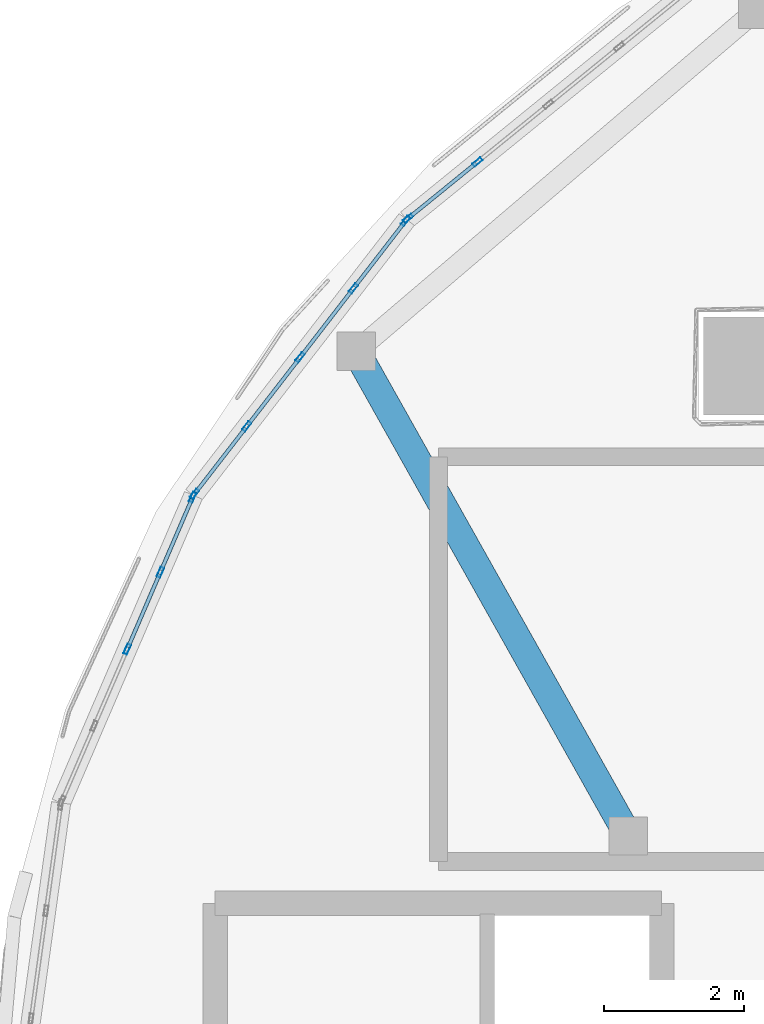
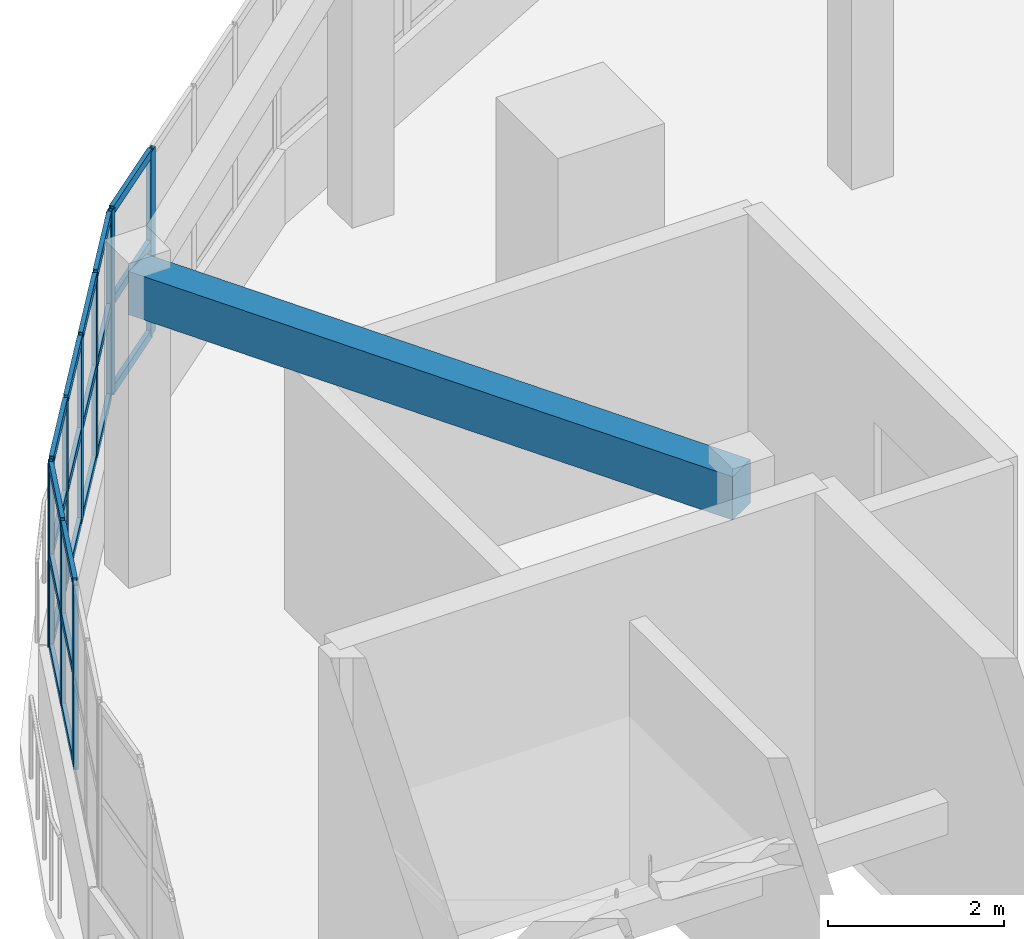
# One storey, part 17 of 46: 31 members, 1 beam, 3 elements without a shape of their own.
"""IFC4 building model written with IfcOpenShell, lengths in metres."""

from ifc_helpers import new_model, si_unit, direction, frame, origin, origin_2d, place, context, subcontext, project, spatial, rectangle, hollow_rectangle, extrude, material, layer, layer_set, material_profile, profile_set, type_object, element, aggregate, save


model = new_model("IFC4")

# Units and contexts
model_context = context("Model", 3, precision=1e-05, world=origin(), true_north=direction((0.0, 1.0)))
body_context = subcontext(model_context, "Body", "Model", "MODEL_VIEW")
ifc_project = project(units=[si_unit("LENGTHUNIT", "METRE"), si_unit("AREAUNIT", "SQUARE_METRE"), si_unit("VOLUMEUNIT", "CUBIC_METRE"), si_unit("PLANEANGLEUNIT", "RADIAN"), si_unit("MASSUNIT", "GRAM", prefix="KILO")], contexts=[model_context])

# Site, building, storey
site_placement = place(None, origin())
site = spatial("IfcSite", under=ifc_project, at=site_placement, CompositionType="ELEMENT")
building_placement = place(site_placement, origin())
building = spatial("IfcBuilding", under=site, at=building_placement, Name="Pelvatis Terrace Science Centre", CompositionType="ELEMENT")
storey_placement = place(building_placement, frame((0.0, 0.0, 19.800048828125)))
storey = spatial("IfcBuildingStorey", under=building, at=storey_placement, Name="L04", CompositionType="ELEMENT", Elevation=19.800048828125)

# Beam
ifc_material_1 = material(Name="Concrete C35/45", Category="concrete")
ifc_material_profile_1 = material_profile(ifc_material_1, rectangle(XDim=0.39990234375, YDim=0.60009765625, at=origin_2d()), Name="RC-BM 400x600")
ifc_profile_set_1 = profile_set([ifc_material_profile_1], Name="Concrete C35/45")
beam_type = type_object("IfcBeamType", Name="BM-RC-400x600", PredefinedType="BEAM", material=ifc_profile_set_1)
beam_placement = place(storey_placement, frame((88.8203125, 95.71142578125, 3.949951171875), z_axis=(0.489826177205, -0.871820116839, 0.0), x_axis=(0.871820116839, 0.489826177205, 0.0)))
element("IfcBeam", 1, at=beam_placement, inside=storey, type_object=beam_type, Name="Beam BM-L04-3088", PredefinedType="BEAM", context=body_context, shape_type="SweptSolid", body=[
    extrude(rectangle(XDim=0.39990234375, YDim=0.60009765625, at=origin_2d()), origin(), (0.0, 0.0, 1.0), 7.96728515625),
])

# Curtain wall, members
ifc_material_2 = material(Name="Bronze-anodised aluminium and laminated glass", Category="aluminium")
ifc_layer = layer(ifc_material_2, 0.14990234375)
ifc_layer_set = layer_set([ifc_layer], Name="Bronze-anodised aluminium and laminated glass")
curtain_wall_type = type_object("IfcCurtainWallType", Name="CW-PASSAGE-C", PredefinedType="NOTDEFINED", material=ifc_layer_set)
curtain_wall_1_placement = place(storey_placement, origin())
curtain_wall_1 = element("IfcCurtainWall", 2, at=curtain_wall_1_placement, inside=storey, type_object=curtain_wall_type, Name="Ribbon curtain wall CW-221 (L04)", PredefinedType="NOTDEFINED")
ifc_material_3 = material(Name="Bronze-anodised aluminium 6063-T6", Category="aluminium")
ifc_material_profile_2 = material_profile(ifc_material_3, hollow_rectangle(XDim=0.054931640625, YDim=0.14990234375, WallThickness=0.00390625, at=origin_2d()), Name="ALU-MUL 55x150")
ifc_profile_set_2 = profile_set([ifc_material_profile_2], Name="Bronze-anodised aluminium 6063-T6")
member_type_1 = type_object("IfcMemberType", Name="CWM-55x150", PredefinedType="MULLION", material=ifc_profile_set_2)
member_1_placement = place(storey_placement, frame((90.561279296875, 98.425048828125, 1.02001953125), z_axis=(0.0, 0.0, 1.0), x_axis=(0.630757324963, -0.775980152456, 0.0)))
member_1 = element("IfcMember", 3, at=member_1_placement, type_object=member_type_1, Name="CW-221 mullion 4", PredefinedType="MULLION", context=body_context, shape_type="SweptSolid", body=[
    extrude(hollow_rectangle(XDim=0.054931640625, YDim=0.14990234375, WallThickness=0.00390625, at=origin_2d()), origin(), (0.0, 0.0, 1.0), 2.550048828125),
])
member_2_placement = place(storey_placement, frame((89.5673828125, 97.6171875, 1.02001953125), z_axis=(0.0, 0.0, 1.0), x_axis=(0.630757324963, -0.775980152456, 0.0)))
member_2 = element("IfcMember", 4, at=member_2_placement, type_object=member_type_1, Name="CW-221 mullion 5", PredefinedType="MULLION", context=body_context, shape_type="SweptSolid", body=[
    extrude(hollow_rectangle(XDim=0.054931640625, YDim=0.14990234375, WallThickness=0.00390625, at=origin_2d()), origin(), (0.0, 0.0, 1.0), 2.550048828125),
])

curtain_wall_2_placement = place(storey_placement, origin())
curtain_wall_2 = element("IfcCurtainWall", 5, at=curtain_wall_2_placement, inside=storey, type_object=curtain_wall_type, Name="Ribbon curtain wall CW-222 (L04)", PredefinedType="NOTDEFINED")
member_3_placement = place(storey_placement, frame((89.529296875, 97.578125, 1.02001953125), z_axis=(0.0, 0.0, 1.0), x_axis=(0.791180678019, -0.611582483994, 0.0)))
member_3 = element("IfcMember", 6, at=member_3_placement, type_object=member_type_1, Name="CW-222 mullion 1", PredefinedType="MULLION", context=body_context, shape_type="SweptSolid", body=[
    extrude(hollow_rectangle(XDim=0.054931640625, YDim=0.14990234375, WallThickness=0.00390625, at=origin_2d()), origin(), (0.0, 0.0, 1.0), 2.550048828125),
])
member_4_placement = place(storey_placement, frame((88.781982421875, 96.611572265625, 1.02001953125), z_axis=(0.0, 0.0, 1.0), x_axis=(0.791180678019, -0.611582483994, 0.0)))
member_4 = element("IfcMember", 7, at=member_4_placement, type_object=member_type_1, Name="CW-222 mullion 2", PredefinedType="MULLION", context=body_context, shape_type="SweptSolid", body=[
    extrude(hollow_rectangle(XDim=0.054931640625, YDim=0.14990234375, WallThickness=0.00390625, at=origin_2d()), origin(), (0.0, 0.0, 1.0), 2.550048828125),
])
member_5_placement = place(storey_placement, frame((88.01806640625, 95.623046875, 1.02001953125), z_axis=(0.0, 0.0, 1.0), x_axis=(0.791180678019, -0.611582483994, 0.0)))
member_5 = element("IfcMember", 8, at=member_5_placement, type_object=member_type_1, Name="CW-222 mullion 3", PredefinedType="MULLION", context=body_context, shape_type="SweptSolid", body=[
    extrude(hollow_rectangle(XDim=0.054931640625, YDim=0.14990234375, WallThickness=0.00390625, at=origin_2d()), origin(), (0.0, 0.0, 1.0), 2.550048828125),
])
member_6_placement = place(storey_placement, frame((87.254150390625, 94.634765625, 1.02001953125), z_axis=(0.0, 0.0, 1.0), x_axis=(0.791180678019, -0.611582483994, 0.0)))
member_6 = element("IfcMember", 9, at=member_6_placement, type_object=member_type_1, Name="CW-222 mullion 4", PredefinedType="MULLION", context=body_context, shape_type="SweptSolid", body=[
    extrude(hollow_rectangle(XDim=0.054931640625, YDim=0.14990234375, WallThickness=0.00390625, at=origin_2d()), origin(), (0.0, 0.0, 1.0), 2.550048828125),
])
member_7_placement = place(storey_placement, frame((86.5068359375, 93.668212890625, 1.02001953125), z_axis=(0.0, 0.0, 1.0), x_axis=(0.791180678019, -0.611582483994, 0.0)))
member_7 = element("IfcMember", 10, at=member_7_placement, type_object=member_type_1, Name="CW-222 mullion 5", PredefinedType="MULLION", context=body_context, shape_type="SweptSolid", body=[
    extrude(hollow_rectangle(XDim=0.054931640625, YDim=0.14990234375, WallThickness=0.00390625, at=origin_2d()), origin(), (0.0, 0.0, 1.0), 2.550048828125),
])

curtain_wall_3_placement = place(storey_placement, origin())
curtain_wall_3 = element("IfcCurtainWall", 11, at=curtain_wall_3_placement, inside=storey, type_object=curtain_wall_type, Name="Ribbon curtain wall CW-223 (L04)", PredefinedType="NOTDEFINED")
member_8_placement = place(storey_placement, frame((86.479248046875, 93.621337890625, 1.02001953125), z_axis=(0.0, 0.0, 1.0), x_axis=(0.918515345943, -0.395385330111, 0.0)))
member_8 = element("IfcMember", 12, at=member_8_placement, type_object=member_type_1, Name="CW-223 mullion 1", PredefinedType="MULLION", context=body_context, shape_type="SweptSolid", body=[
    extrude(hollow_rectangle(XDim=0.054931640625, YDim=0.14990234375, WallThickness=0.00390625, at=origin_2d()), origin(), (0.0, 0.0, 1.0), 2.550048828125),
])
member_9_placement = place(storey_placement, frame((86.015869140625, 92.544677734375, 1.02001953125), z_axis=(0.0, 0.0, 1.0), x_axis=(0.918515345943, -0.395385330111, 0.0)))
member_9 = element("IfcMember", 13, at=member_9_placement, type_object=member_type_1, Name="CW-223 mullion 2", PredefinedType="MULLION", context=body_context, shape_type="SweptSolid", body=[
    extrude(hollow_rectangle(XDim=0.054931640625, YDim=0.14990234375, WallThickness=0.00390625, at=origin_2d()), origin(), (0.0, 0.0, 1.0), 2.550048828125),
])
member_10_placement = place(storey_placement, frame((85.54150390625, 91.443115234375, 1.02001953125), z_axis=(0.0, 0.0, 1.0), x_axis=(0.918515345943, -0.395385330111, 0.0)))
member_10 = element("IfcMember", 14, at=member_10_placement, type_object=member_type_1, Name="CW-223 mullion 3", PredefinedType="MULLION", context=body_context, shape_type="SweptSolid", body=[
    extrude(hollow_rectangle(XDim=0.054931640625, YDim=0.14990234375, WallThickness=0.00390625, at=origin_2d()), origin(), (0.0, 0.0, 1.0), 2.550048828125),
])

# Member
ifc_material_4 = material(Name="Bronze-anodised aluminium 6063-T6", Category="aluminium")
ifc_material_profile_3 = material_profile(ifc_material_4, hollow_rectangle(XDim=0.054931640625, YDim=0.1201171875, WallThickness=0.00341796875, at=origin_2d()), Name="ALU-TRN 55x120")
ifc_profile_set_3 = profile_set([ifc_material_profile_3], Name="Bronze-anodised aluminium 6063-T6")
member_type_2 = type_object("IfcMemberType", Name="CWT-55x120", PredefinedType="USERDEFINED", material=ifc_profile_set_3)
member_11_placement = place(storey_placement, frame((90.5400390625, 98.40771484375, 1.04736328125), z_axis=(-0.776046991119, -0.630675088754, 0.0), x_axis=(0.630675088754, -0.776046991119, 0.0)))
member_11 = element("IfcMember", 15, at=member_11_placement, type_object=member_type_2, Name="CW-221 transom 4.1", ObjectType="TRANSOM", PredefinedType="USERDEFINED", context=body_context, shape_type="SweptSolid", body=[
    extrude(hollow_rectangle(XDim=0.054931640625, YDim=0.1201171875, WallThickness=0.00341796875, at=origin_2d()), origin(), (0.0, 0.0, 1.0), 1.22607421875),
])

member_12_placement = place(storey_placement, frame((90.5400390625, 98.40771484375, 2.294921875), z_axis=(-0.776046991119, -0.630675088754, 0.0), x_axis=(0.630675088754, -0.776046991119, 0.0)))
member_12 = element("IfcMember", 16, at=member_12_placement, type_object=member_type_2, Name="CW-221 transom 4.2", ObjectType="TRANSOM", PredefinedType="USERDEFINED", context=body_context, shape_type="SweptSolid", body=[
    extrude(hollow_rectangle(XDim=0.054931640625, YDim=0.1201171875, WallThickness=0.00341796875, at=origin_2d()), origin(), (0.0, 0.0, 1.0), 1.22607421875),
])

member_13_placement = place(storey_placement, frame((90.5400390625, 98.40771484375, 3.54248046875), z_axis=(-0.776046991119, -0.630675088754, 0.0), x_axis=(0.630675088754, -0.776046991119, 0.0)))
member_13 = element("IfcMember", 17, at=member_13_placement, type_object=member_type_2, Name="CW-221 transom 4.3", ObjectType="TRANSOM", PredefinedType="USERDEFINED", context=body_context, shape_type="SweptSolid", body=[
    extrude(hollow_rectangle(XDim=0.054931640625, YDim=0.1201171875, WallThickness=0.00341796875, at=origin_2d()), origin(), (0.0, 0.0, 1.0), 1.22607421875),
])

aggregate(curtain_wall_1, [member_1, member_2, member_11, member_12, member_13])

member_14_placement = place(storey_placement, frame((89.512451171875, 97.556396484375, 1.04736328125), z_axis=(-0.611620187246, -0.791151531979, 0.0), x_axis=(0.791151531979, -0.611620187246, 0.0)))
member_14 = element("IfcMember", 18, at=member_14_placement, type_object=member_type_2, Name="CW-222 transom 1.1", ObjectType="TRANSOM", PredefinedType="USERDEFINED", context=body_context, shape_type="SweptSolid", body=[
    extrude(hollow_rectangle(XDim=0.054931640625, YDim=0.1201171875, WallThickness=0.00341796875, at=origin_2d()), origin(), (0.0, 0.0, 1.0), 1.166748046875),
])

member_15_placement = place(storey_placement, frame((89.512451171875, 97.556396484375, 2.294921875), z_axis=(-0.611620187246, -0.791151531979, 0.0), x_axis=(0.791151531979, -0.611620187246, 0.0)))
member_15 = element("IfcMember", 19, at=member_15_placement, type_object=member_type_2, Name="CW-222 transom 1.2", ObjectType="TRANSOM", PredefinedType="USERDEFINED", context=body_context, shape_type="SweptSolid", body=[
    extrude(hollow_rectangle(XDim=0.054931640625, YDim=0.1201171875, WallThickness=0.00341796875, at=origin_2d()), origin(), (0.0, 0.0, 1.0), 1.166748046875),
])

member_16_placement = place(storey_placement, frame((89.512451171875, 97.556396484375, 3.54248046875), z_axis=(-0.611620187246, -0.791151531979, 0.0), x_axis=(0.791151531979, -0.611620187246, 0.0)))
member_16 = element("IfcMember", 20, at=member_16_placement, type_object=member_type_2, Name="CW-222 transom 1.3", ObjectType="TRANSOM", PredefinedType="USERDEFINED", context=body_context, shape_type="SweptSolid", body=[
    extrude(hollow_rectangle(XDim=0.054931640625, YDim=0.1201171875, WallThickness=0.00341796875, at=origin_2d()), origin(), (0.0, 0.0, 1.0), 1.166748046875),
])

member_17_placement = place(storey_placement, frame((88.76513671875, 96.589599609375, 1.04736328125), z_axis=(-0.611616260488, -0.791154567646, 0.0), x_axis=(0.791154567646, -0.611616260488, 0.0)))
member_17 = element("IfcMember", 21, at=member_17_placement, type_object=member_type_2, Name="CW-222 transom 2.1", ObjectType="TRANSOM", PredefinedType="USERDEFINED", context=body_context, shape_type="SweptSolid", body=[
    extrude(hollow_rectangle(XDim=0.054931640625, YDim=0.1201171875, WallThickness=0.00341796875, at=origin_2d()), origin(), (0.0, 0.0, 1.0), 1.19384765625),
])

member_18_placement = place(storey_placement, frame((88.76513671875, 96.589599609375, 2.294921875), z_axis=(-0.611616260488, -0.791154567646, 0.0), x_axis=(0.791154567646, -0.611616260488, 0.0)))
member_18 = element("IfcMember", 22, at=member_18_placement, type_object=member_type_2, Name="CW-222 transom 2.2", ObjectType="TRANSOM", PredefinedType="USERDEFINED", context=body_context, shape_type="SweptSolid", body=[
    extrude(hollow_rectangle(XDim=0.054931640625, YDim=0.1201171875, WallThickness=0.00341796875, at=origin_2d()), origin(), (0.0, 0.0, 1.0), 1.19384765625),
])

member_19_placement = place(storey_placement, frame((88.76513671875, 96.589599609375, 3.54248046875), z_axis=(-0.611616260488, -0.791154567646, 0.0), x_axis=(0.791154567646, -0.611616260488, 0.0)))
member_19 = element("IfcMember", 23, at=member_19_placement, type_object=member_type_2, Name="CW-222 transom 2.3", ObjectType="TRANSOM", PredefinedType="USERDEFINED", context=body_context, shape_type="SweptSolid", body=[
    extrude(hollow_rectangle(XDim=0.054931640625, YDim=0.1201171875, WallThickness=0.00341796875, at=origin_2d()), origin(), (0.0, 0.0, 1.0), 1.19384765625),
])

member_20_placement = place(storey_placement, frame((88.001220703125, 95.601318359375, 1.04736328125), z_axis=(-0.611517324634, -0.791231041904, 0.0), x_axis=(0.791231041904, -0.611517324634, 0.0)))
member_20 = element("IfcMember", 24, at=member_20_placement, type_object=member_type_2, Name="CW-222 transom 3.1", ObjectType="TRANSOM", PredefinedType="USERDEFINED", context=body_context, shape_type="SweptSolid", body=[
    extrude(hollow_rectangle(XDim=0.054931640625, YDim=0.1201171875, WallThickness=0.00341796875, at=origin_2d()), origin(), (0.0, 0.0, 1.0), 1.194091796875),
])

member_21_placement = place(storey_placement, frame((88.001220703125, 95.601318359375, 2.294921875), z_axis=(-0.611517324634, -0.791231041904, 0.0), x_axis=(0.791231041904, -0.611517324634, 0.0)))
member_21 = element("IfcMember", 25, at=member_21_placement, type_object=member_type_2, Name="CW-222 transom 3.2", ObjectType="TRANSOM", PredefinedType="USERDEFINED", context=body_context, shape_type="SweptSolid", body=[
    extrude(hollow_rectangle(XDim=0.054931640625, YDim=0.1201171875, WallThickness=0.00341796875, at=origin_2d()), origin(), (0.0, 0.0, 1.0), 1.194091796875),
])

member_22_placement = place(storey_placement, frame((88.001220703125, 95.601318359375, 3.54248046875), z_axis=(-0.611517324634, -0.791231041904, 0.0), x_axis=(0.791231041904, -0.611517324634, 0.0)))
member_22 = element("IfcMember", 26, at=member_22_placement, type_object=member_type_2, Name="CW-222 transom 3.3", ObjectType="TRANSOM", PredefinedType="USERDEFINED", context=body_context, shape_type="SweptSolid", body=[
    extrude(hollow_rectangle(XDim=0.054931640625, YDim=0.1201171875, WallThickness=0.00341796875, at=origin_2d()), origin(), (0.0, 0.0, 1.0), 1.194091796875),
])

member_23_placement = place(storey_placement, frame((87.2373046875, 94.613037109375, 1.04736328125), z_axis=(-0.611620187246, -0.791151531979, 0.0), x_axis=(0.791151531979, -0.611620187246, 0.0)))
member_23 = element("IfcMember", 27, at=member_23_placement, type_object=member_type_2, Name="CW-222 transom 4.1", ObjectType="TRANSOM", PredefinedType="USERDEFINED", context=body_context, shape_type="SweptSolid", body=[
    extrude(hollow_rectangle(XDim=0.054931640625, YDim=0.1201171875, WallThickness=0.00341796875, at=origin_2d()), origin(), (0.0, 0.0, 1.0), 1.166748046875),
])

member_24_placement = place(storey_placement, frame((87.2373046875, 94.613037109375, 2.294921875), z_axis=(-0.611620187246, -0.791151531979, 0.0), x_axis=(0.791151531979, -0.611620187246, 0.0)))
member_24 = element("IfcMember", 28, at=member_24_placement, type_object=member_type_2, Name="CW-222 transom 4.2", ObjectType="TRANSOM", PredefinedType="USERDEFINED", context=body_context, shape_type="SweptSolid", body=[
    extrude(hollow_rectangle(XDim=0.054931640625, YDim=0.1201171875, WallThickness=0.00341796875, at=origin_2d()), origin(), (0.0, 0.0, 1.0), 1.166748046875),
])

member_25_placement = place(storey_placement, frame((87.2373046875, 94.613037109375, 3.54248046875), z_axis=(-0.611620187246, -0.791151531979, 0.0), x_axis=(0.791151531979, -0.611620187246, 0.0)))
member_25 = element("IfcMember", 29, at=member_25_placement, type_object=member_type_2, Name="CW-222 transom 4.3", ObjectType="TRANSOM", PredefinedType="USERDEFINED", context=body_context, shape_type="SweptSolid", body=[
    extrude(hollow_rectangle(XDim=0.054931640625, YDim=0.1201171875, WallThickness=0.00341796875, at=origin_2d()), origin(), (0.0, 0.0, 1.0), 1.166748046875),
])

aggregate(curtain_wall_2, [member_3, member_4, member_5, member_6, member_7, member_14, member_15, member_16, member_17, member_18, member_19, member_20, member_21, member_22, member_23, member_24, member_25])

member_26_placement = place(storey_placement, frame((86.46826171875, 93.595947265625, 1.04736328125), z_axis=(-0.395422493944, -0.918499347459, 0.0), x_axis=(0.918499347459, -0.395422493944, 0.0)))
member_26 = element("IfcMember", 30, at=member_26_placement, type_object=member_type_2, Name="CW-223 transom 1.1", ObjectType="TRANSOM", PredefinedType="USERDEFINED", context=body_context, shape_type="SweptSolid", body=[
    extrude(hollow_rectangle(XDim=0.054931640625, YDim=0.1201171875, WallThickness=0.00341796875, at=origin_2d()), origin(), (0.0, 0.0, 1.0), 1.116943359375),
])

member_27_placement = place(storey_placement, frame((86.46826171875, 93.595947265625, 2.294921875), z_axis=(-0.395422493944, -0.918499347459, 0.0), x_axis=(0.918499347459, -0.395422493944, 0.0)))
member_27 = element("IfcMember", 31, at=member_27_placement, type_object=member_type_2, Name="CW-223 transom 1.2", ObjectType="TRANSOM", PredefinedType="USERDEFINED", context=body_context, shape_type="SweptSolid", body=[
    extrude(hollow_rectangle(XDim=0.054931640625, YDim=0.1201171875, WallThickness=0.00341796875, at=origin_2d()), origin(), (0.0, 0.0, 1.0), 1.116943359375),
])

member_28_placement = place(storey_placement, frame((86.46826171875, 93.595947265625, 3.54248046875), z_axis=(-0.395422493944, -0.918499347459, 0.0), x_axis=(0.918499347459, -0.395422493944, 0.0)))
member_28 = element("IfcMember", 32, at=member_28_placement, type_object=member_type_2, Name="CW-223 transom 1.3", ObjectType="TRANSOM", PredefinedType="USERDEFINED", context=body_context, shape_type="SweptSolid", body=[
    extrude(hollow_rectangle(XDim=0.054931640625, YDim=0.1201171875, WallThickness=0.00341796875, at=origin_2d()), origin(), (0.0, 0.0, 1.0), 1.116943359375),
])

member_29_placement = place(storey_placement, frame((86.0048828125, 92.51953125, 1.04736328125), z_axis=(-0.395283381823, -0.918559224032, 0.0), x_axis=(0.918559224032, -0.395283381823, 0.0)))
member_29 = element("IfcMember", 33, at=member_29_placement, type_object=member_type_2, Name="CW-223 transom 2.1", ObjectType="TRANSOM", PredefinedType="USERDEFINED", context=body_context, shape_type="SweptSolid", body=[
    extrude(hollow_rectangle(XDim=0.054931640625, YDim=0.1201171875, WallThickness=0.00341796875, at=origin_2d()), origin(), (0.0, 0.0, 1.0), 1.14453125),
])

member_30_placement = place(storey_placement, frame((86.0048828125, 92.51953125, 2.294921875), z_axis=(-0.395283381823, -0.918559224032, 0.0), x_axis=(0.918559224032, -0.395283381823, 0.0)))
member_30 = element("IfcMember", 34, at=member_30_placement, type_object=member_type_2, Name="CW-223 transom 2.2", ObjectType="TRANSOM", PredefinedType="USERDEFINED", context=body_context, shape_type="SweptSolid", body=[
    extrude(hollow_rectangle(XDim=0.054931640625, YDim=0.1201171875, WallThickness=0.00341796875, at=origin_2d()), origin(), (0.0, 0.0, 1.0), 1.14453125),
])

member_31_placement = place(storey_placement, frame((86.0048828125, 92.51953125, 3.54248046875), z_axis=(-0.395283381823, -0.918559224032, 0.0), x_axis=(0.918559224032, -0.395283381823, 0.0)))
member_31 = element("IfcMember", 35, at=member_31_placement, type_object=member_type_2, Name="CW-223 transom 2.3", ObjectType="TRANSOM", PredefinedType="USERDEFINED", context=body_context, shape_type="SweptSolid", body=[
    extrude(hollow_rectangle(XDim=0.054931640625, YDim=0.1201171875, WallThickness=0.00341796875, at=origin_2d()), origin(), (0.0, 0.0, 1.0), 1.14453125),
])

aggregate(curtain_wall_3, [member_8, member_9, member_10, member_26, member_27, member_28, member_29, member_30, member_31])

save(model, "model.ifc")
